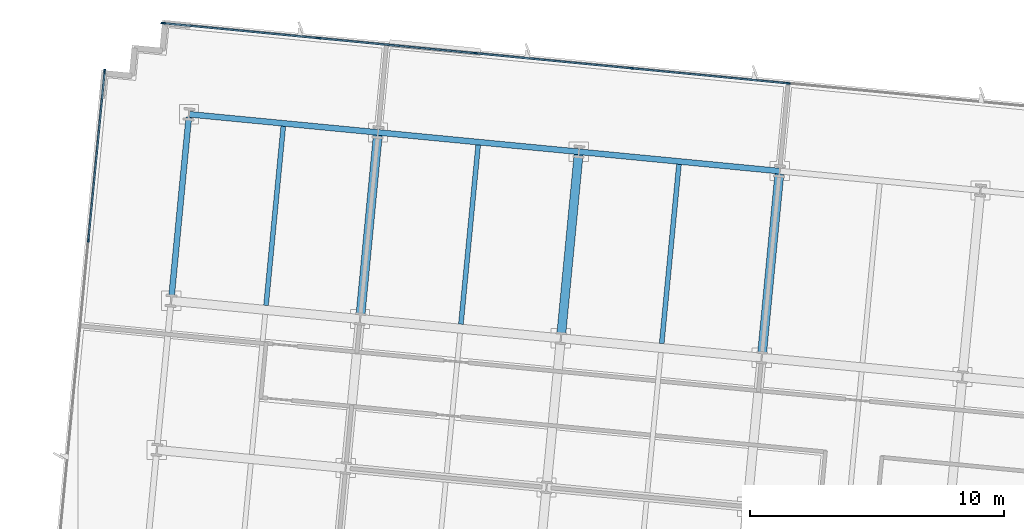
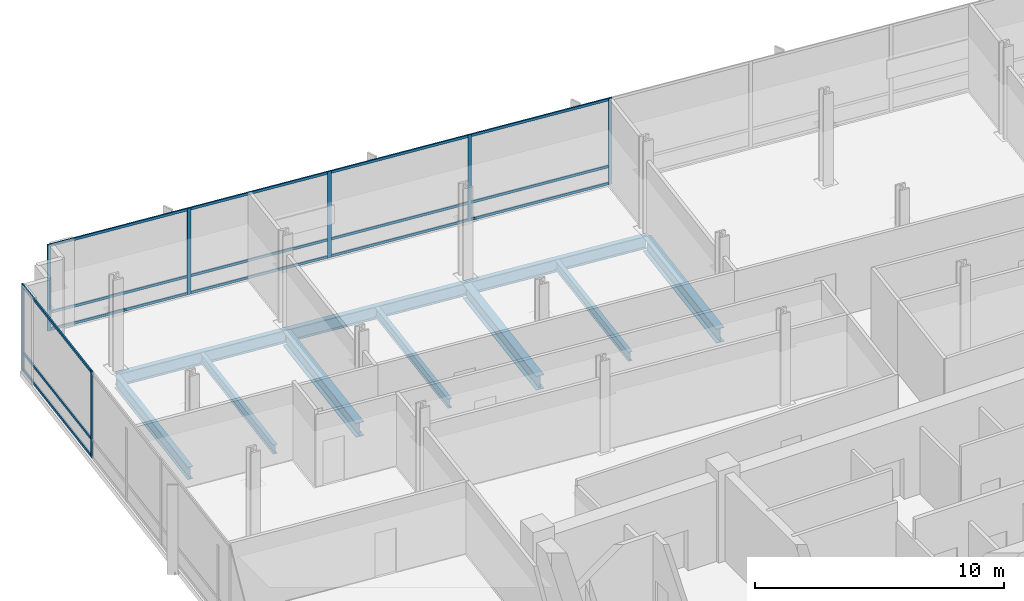
# One storey, part 8 of 17: 22 members, 10 beams, 2 elements without a shape of their own.
"""IFC4 building model written with IfcOpenShell, lengths in metres."""

import ifcopenshell
import ifcopenshell.guid

model = None  # the IFC model being written
_history = None  # IfcOwnerHistory: only IFC2X3 demands one
_inside = {}  # id of a spatial element -> (the spatial element, [elements in it])
_under = {}  # id of a project, library or spatial element -> (it, [spatial elements below it])
_declared = {}  # id of a project -> (the project, [libraries it declares])
_typed = {}  # id of a type object -> (the type object, [elements of that type])
_made_of = {}  # id of a material, layer set ... -> (it, [elements and type objects made of it])


def new_model(schema):
    """Start an empty IFC model of exactly this schema.

    Asked for "IFC4X3", IfcOpenShell would pick the latest addendum, in which some entities
    have other attributes; the version numbers below select the first issue.
    IFC2X3 requires an IfcOwnerHistory on every rooted entity: one is made here for all.
    """
    global model, _history
    if schema == "IFC4X3":
        model = ifcopenshell.file(schema_version=(4, 3, 0, 0))
    else:
        model = ifcopenshell.file(schema=schema)
    _inside.clear()
    _under.clear()
    _declared.clear()
    _typed.clear()
    _made_of.clear()
    _history = None
    if model.schema == "IFC2X3":
        org = make("IfcOrganization", Name="unknown")
        user = make(
            "IfcPersonAndOrganization",
            ThePerson=make("IfcPerson", FamilyName="unknown"),
            TheOrganization=org,
        )
        app = make(
            "IfcApplication",
            ApplicationDeveloper=org,
            Version="unknown",
            ApplicationFullName="unknown",
            ApplicationIdentifier="unknown",
        )
        _history = make(
            "IfcOwnerHistory",
            OwningUser=user,
            OwningApplication=app,
            ChangeAction="ADDED",
            CreationDate=0,
        )
    return model


def make(cls, **values):
    """One entity of the class cls with the attributes given. An attribute that is None is left unset."""
    return model.create_entity(
        cls, **{name: value for name, value in values.items() if value is not None}
    )


def rooted(cls, **values):
    """An entity with a GlobalId (a new one), such as an element, a storey or a relation."""
    return make(cls, GlobalId=ifcopenshell.guid.new(), OwnerHistory=_history, **values)


def si_unit(unit_type, name, prefix=None):
    """IfcSIUnit, for example si_unit("LENGTHUNIT", "METRE", prefix="MILLI")."""
    return make("IfcSIUnit", UnitType=unit_type, Prefix=prefix, Name=name)


def assignment(units):
    """IfcUnitAssignment: the units of a project."""
    return None if units is None else make("IfcUnitAssignment", Units=units)


def point(xyz):
    """IfcCartesianPoint."""
    return None if xyz is None else make("IfcCartesianPoint", Coordinates=xyz)


def direction(xyz):
    """IfcDirection."""
    return None if xyz is None else make("IfcDirection", DirectionRatios=xyz)


def frame(location, z_axis=None, x_axis=None):
    """IfcAxis2Placement3D, a coordinate frame: its origin and axes. An axis left out is left unset."""
    return make(
        "IfcAxis2Placement3D",
        Location=point(location),
        Axis=direction(z_axis),
        RefDirection=direction(x_axis),
    )


def frame_2d(location, x_axis=None):
    """IfcAxis2Placement2D, a coordinate frame in the plane: its origin and x axis."""
    return make(
        "IfcAxis2Placement2D", Location=point(location), RefDirection=direction(x_axis)
    )


def origin():
    """The frame at (0, 0, 0) with its axes left unset."""
    return frame((0.0, 0.0, 0.0))


def origin_2d():
    """The frame at (0, 0) in the plane with its x axis left unset."""
    return frame_2d((0.0, 0.0))


def place(relative_to, where):
    """IfcLocalPlacement: puts the frame where relative to a parent placement (None: the world)."""
    return make(
        "IfcLocalPlacement", PlacementRelTo=relative_to, RelativePlacement=where
    )


def context(
    kind, dimensions, precision=None, world=None, true_north=None, identifier=None
):
    """IfcGeometricRepresentationContext, for example the 3D "Model" context."""
    return make(
        "IfcGeometricRepresentationContext",
        ContextIdentifier=identifier,
        ContextType=kind,
        CoordinateSpaceDimension=dimensions,
        Precision=precision,
        WorldCoordinateSystem=world,
        TrueNorth=true_north,
    )


def subcontext(parent, identifier, kind, view, scale=None):
    """IfcGeometricRepresentationSubContext, for example "Body" below "Model"."""
    return make(
        "IfcGeometricRepresentationSubContext",
        ContextIdentifier=identifier,
        ContextType=kind,
        ParentContext=parent,
        TargetScale=scale,
        TargetView=view,
    )


def project(units=None, contexts=None):
    """IfcProject with its units and contexts."""
    return rooted(
        "IfcProject",
        Name="project",
        RepresentationContexts=contexts,
        UnitsInContext=assignment(units),
    )


def spatial(cls, under=None, at=None, **own):
    """A site, building, storey or space (cls), placed at a placement, below another one or the project."""
    s = rooted(cls, ObjectPlacement=at, **own)
    if under is not None:
        _under.setdefault(under.id(), (under, []))[1].append(s)
    return s


def profile(cls, at=None, kind="AREA", **sizes):
    """A parametric profile (cls). Its sizes go by their IFC names, for example OverallWidth=200.0."""
    return make(cls, ProfileType=kind, Position=at, **sizes)


def rectangle(**sizes):
    """IfcRectangleProfileDef."""
    return profile("IfcRectangleProfileDef", **sizes)


def i_section(**sizes):
    """IfcIShapeProfileDef."""
    return profile("IfcIShapeProfileDef", **sizes)


def extrude(swept, where, along, depth):
    """IfcExtrudedAreaSolid: the profile swept, set in the frame where, extruded along a direction by depth."""
    return make(
        "IfcExtrudedAreaSolid",
        SweptArea=swept,
        Position=where,
        ExtrudedDirection=direction(along),
        Depth=depth,
    )


def shape(context_of_items, identifier, shape_type, items):
    """IfcShapeRepresentation: the items that make up one representation, for example the "Body"."""
    return make(
        "IfcShapeRepresentation",
        ContextOfItems=context_of_items,
        RepresentationIdentifier=identifier,
        RepresentationType=shape_type,
        Items=items,
    )


def material(Name=None, Category=None):
    """IfcMaterial."""
    return make("IfcMaterial", Name=Name, Category=Category)


def material_profile(
    of_material, cross_section, Name=None, Category=None, Priority=None
):
    """IfcMaterialProfile: a cross section and its material."""
    return make(
        "IfcMaterialProfile",
        Name=Name,
        Material=of_material,
        Profile=cross_section,
        Priority=Priority,
        Category=Category,
    )


def profile_set(profiles, Name=None, composite=None):
    """IfcMaterialProfileSet."""
    return make(
        "IfcMaterialProfileSet",
        Name=Name,
        MaterialProfiles=profiles,
        CompositeProfile=composite,
    )


def made_of(thing, what):
    """Note that an element or type object is made of a material, layer set ...; save() writes the relation."""
    if what is not None:
        _made_of.setdefault(what.id(), (what, []))[1].append(thing)
    return thing


def type_object(cls, material=None, **own):
    """A type object (cls), such as IfcWallType, which elements share."""
    return made_of(rooted(cls, **own), material)


def element(
    cls,
    number,
    at=None,
    inside=None,
    cuts=None,
    type_object=None,
    material=None,
    context=None,
    identifier="Body",
    shape_type=None,
    held_by="IfcProductDefinitionShape",
    body=None,
    shapes=None,
    **own,
):
    """One element of the class cls, such as IfcWall. Its Tag is "e" and its number.

    at: its placement. inside: the storey or other place that contains it. cuts: it is an
    opening in that element (IfcRelVoidsElement). A single representation is given by context,
    identifier, shape_type and body (its items); several are given by shapes. held_by: the class
    of the entity that holds the representations. save() writes the other relations.
    """
    e = rooted(cls, Tag="e%d" % number, ObjectPlacement=at, **own)
    if body is not None:
        shapes = [shape(context, identifier, shape_type, body)]
    if shapes is not None:
        e.Representation = make(held_by, Representations=shapes)
    if inside is not None:
        _inside.setdefault(inside.id(), (inside, []))[1].append(e)
    if cuts is not None:
        rooted(
            "IfcRelVoidsElement", RelatingBuildingElement=cuts, RelatedOpeningElement=e
        )
    if type_object is not None:
        _typed.setdefault(type_object.id(), (type_object, []))[1].append(e)
    return made_of(e, material)


def aggregate(whole, parts):
    """IfcRelAggregates: a whole, such as a stair, and the parts it consists of."""
    return rooted("IfcRelAggregates", RelatingObject=whole, RelatedObjects=parts)


def save(model, path):
    """Write the relations noted so far, then the file.

    IfcRelAggregates (storeys below a building ...), IfcRelContainedInSpatialStructure (elements
    in a storey), IfcRelDefinesByType, IfcRelAssociatesMaterial and IfcRelDeclares: one each for
    every whole, place, type object, material and project.
    """
    for whole, parts in _under.values():
        aggregate(whole, parts)
    for where, things in _inside.values():
        rooted(
            "IfcRelContainedInSpatialStructure",
            RelatedElements=things,
            RelatingStructure=where,
        )
    for kind, things in _typed.values():
        rooted("IfcRelDefinesByType", RelatedObjects=things, RelatingType=kind)
    for what, things in _made_of.values():
        rooted("IfcRelAssociatesMaterial", RelatedObjects=things, RelatingMaterial=what)
    for by, libraries in _declared.values():
        rooted("IfcRelDeclares", RelatingContext=by, RelatedDefinitions=libraries)
    model.write(path)


model = new_model("IFC4")

# Units and contexts
model_context = context("Model", 3, precision=1e-05, world=origin(), true_north=direction((0.0, 1.0)))
body_context = subcontext(model_context, "Body", "Model", "MODEL_VIEW")
ifc_project = project(units=[si_unit("LENGTHUNIT", "METRE"), si_unit("AREAUNIT", "SQUARE_METRE"), si_unit("VOLUMEUNIT", "CUBIC_METRE"), si_unit("PLANEANGLEUNIT", "RADIAN"), si_unit("MASSUNIT", "GRAM", prefix="KILO")], contexts=[model_context])

# Site, building, storey
site_placement = place(None, origin())
site = spatial("IfcSite", under=ifc_project, at=site_placement, CompositionType="ELEMENT")
building_placement = place(site_placement, origin())
building = spatial("IfcBuilding", under=site, at=building_placement, Name="Solmavex Isthmus Hotel", CompositionType="ELEMENT")
storey_placement = place(building_placement, frame((0.0, 0.0, 177.300048828125)))
storey = spatial("IfcBuildingStorey", under=building, at=storey_placement, Name="L48", CompositionType="ELEMENT", Elevation=177.300048828125)

# Beams
ifc_material_1 = material(Name="Steel ASTM A992 Grade 50", Category="steel")
ifc_material_profile_1 = material_profile(ifc_material_1, i_section(OverallWidth=0.354736328125, OverallDepth=0.695556640625, WebThickness=0.015380859375, FlangeThickness=0.02490234375, FilletRadius=0.017822265625, at=origin_2d()), Name="W27X146")
ifc_profile_set_1 = profile_set([ifc_material_profile_1], Name="Steel ASTM A992 Grade 50")
beam_type_1 = type_object("IfcBeamType", Name="BM-BG-W27X146", PredefinedType="BEAM", material=ifc_profile_set_1)
beam_1_placement = place(storey_placement, frame((-15.254150390625, 13.07275390625, -0.60791015625), z_axis=(0.095839524498, 0.995396798038, 0.0), x_axis=(-0.995396798038, 0.095839524498, 0.0)))
element("IfcBeam", 1, at=beam_1_placement, inside=storey, type_object=beam_type_1, Name="Floor Beam L48-VG26", PredefinedType="BEAM", context=body_context, shape_type="SweptSolid", body=[
    extrude(i_section(OverallWidth=0.354736328125, OverallDepth=0.695556640625, WebThickness=0.015380859375, FlangeThickness=0.02490234375, FilletRadius=0.017822265625, at=origin_2d()), origin(), (0.0, 0.0, 1.0), 7.099609375),
])
beam_2_placement = place(storey_placement, frame((-7.3349609375, 12.310302734375, -0.60791015625), z_axis=(0.09587687835, 0.9953932008, 0.0), x_axis=(-0.9953932008, 0.09587687835, 0.0)))
element("IfcBeam", 2, at=beam_2_placement, inside=storey, type_object=beam_type_1, Name="Floor Beam L48-VG29", PredefinedType="BEAM", context=body_context, shape_type="SweptSolid", body=[
    extrude(i_section(OverallWidth=0.354736328125, OverallDepth=0.695556640625, WebThickness=0.015380859375, FlangeThickness=0.02490234375, FilletRadius=0.017822265625, at=origin_2d()), origin(), (0.0, 0.0, 1.0), 7.099365234375),
])
beam_3_placement = place(storey_placement, frame((0.58447265625, 11.547607421875, -0.60791015625), z_axis=(0.095839524498, 0.995396798038, 0.0), x_axis=(-0.995396798038, 0.095839524498, 0.0)))
element("IfcBeam", 3, at=beam_3_placement, inside=storey, type_object=beam_type_1, Name="Floor Beam L48-VG32", PredefinedType="BEAM", context=body_context, shape_type="SweptSolid", body=[
    extrude(i_section(OverallWidth=0.354736328125, OverallDepth=0.695556640625, WebThickness=0.015380859375, FlangeThickness=0.02490234375, FilletRadius=0.017822265625, at=origin_2d()), origin(), (0.0, 0.0, 1.0), 7.099609375),
])
ifc_material_profile_2 = material_profile(ifc_material_1, i_section(OverallWidth=0.1904296875, OverallDepth=0.456787109375, WebThickness=0.009033203125, FlangeThickness=0.014404296875, FilletRadius=0.0126953125, at=origin_2d()), Name="W18X50")
ifc_profile_set_2 = profile_set([ifc_material_profile_2], Name="Steel ASTM A992 Grade 50")
beam_type_2 = type_object("IfcBeamType", Name="BM-BJ-W18X50", PredefinedType="JOIST", material=ifc_profile_set_2)
for number, where, z_axis, x_axis, name in (
    (4, (-18.98095703125, 13.431640625, -0.488525390625), (0.095842805175, 0.99539648216, 0.0), (-0.99539648216, 0.095842805175, 0.0), "Secondary Floor Joist L48-J03"),
    (5, (-11.29443359375, 12.691650390625, -0.488525390625), (0.095842805175, 0.99539648216, 0.0), (-0.99539648216, 0.095842805175, 0.0), "Secondary Floor Joist L48-J06"),
    (6, (-3.375244140625, 11.928955078125, -0.488525390625), (0.09587687835, 0.9953932008, 0.0), (-0.9953932008, 0.09587687835, 0.0), "Secondary Floor Joist L48-J09"),
):
    element("IfcBeam", number, at=place(storey_placement, frame(where, z_axis=z_axis, x_axis=x_axis)), inside=storey, type_object=beam_type_2, Name=name, PredefinedType="JOIST", context=body_context, shape_type="SweptSolid", body=[
        extrude(i_section(OverallWidth=0.1904296875, OverallDepth=0.456787109375, WebThickness=0.009033203125, FlangeThickness=0.014404296875, FilletRadius=0.0126953125, at=origin_2d()), origin(), (0.0, 0.0, 1.0), 7.099365234375),
    ])
ifc_material_profile_3 = material_profile(ifc_material_1, i_section(OverallWidth=0.230224609375, OverallDepth=0.617431640625, WebThickness=0.01318359375, FlangeThickness=0.022216796875, FilletRadius=0.01513671875, at=origin_2d()), Name="W24X94")
ifc_profile_set_3 = profile_set([ifc_material_profile_3], Name="Steel ASTM A992 Grade 50")
beam_type_3 = type_object("IfcBeamType", Name="BM-SP-W24X94", PredefinedType="SPANDREL", material=ifc_profile_set_3)
beam_4_placement = place(storey_placement, frame((-22.016357421875, 20.971923828125, -0.56884765625), z_axis=(0.995395279593, -0.095855293875, 0.0), x_axis=(0.095855293875, 0.995395279593, 0.0)))
element("IfcBeam", 7, at=beam_4_placement, inside=storey, type_object=beam_type_3, Name="Floor Girder L48-UG15", PredefinedType="SPANDREL", context=body_context, shape_type="SweptSolid", body=[
    extrude(i_section(OverallWidth=0.230224609375, OverallDepth=0.617431640625, WebThickness=0.01318359375, FlangeThickness=0.022216796875, FilletRadius=0.01513671875, at=origin_2d()), origin(), (0.0, 0.0, 1.0), 7.488037109375),
])
for number, where, z_axis, x_axis, name in (
    (8, (-14.562744140625, 20.254150390625, -0.56884765625), (0.995397440011, -0.095832856685, 0.0), (0.095832856685, 0.995397440011, 0.0), "Floor Girder L48-UG16"),
    (9, (-6.643310546875, 19.49169921875, -0.56884765625), (0.995394512348, -0.095863260885, 0.0), (0.095863260885, 0.995394512348, 0.0), "Floor Girder L48-UG17"),
):
    element("IfcBeam", number, at=place(storey_placement, frame(where, z_axis=z_axis, x_axis=x_axis)), inside=storey, type_object=beam_type_3, Name=name, PredefinedType="SPANDREL", context=body_context, shape_type="SweptSolid", body=[
        extrude(i_section(OverallWidth=0.230224609375, OverallDepth=0.617431640625, WebThickness=0.01318359375, FlangeThickness=0.022216796875, FilletRadius=0.01513671875, at=origin_2d()), origin(), (0.0, 0.0, 1.0), 7.9560546875),
    ])
beam_5_placement = place(storey_placement, frame((-22.707763671875, 13.79052734375, -0.56884765625), z_axis=(0.095842805175, 0.99539648216, 0.0), x_axis=(-0.99539648216, 0.095842805175, 0.0)))
element("IfcBeam", 10, at=beam_5_placement, inside=storey, type_object=beam_type_3, Name="Floor Beam L48-VG23", PredefinedType="SPANDREL", context=body_context, shape_type="SweptSolid", body=[
    extrude(i_section(OverallWidth=0.230224609375, OverallDepth=0.617431640625, WebThickness=0.01318359375, FlangeThickness=0.022216796875, FilletRadius=0.01513671875, at=origin_2d()), origin(), (0.0, 0.0, 1.0), 7.099365234375),
])

# Curtain wall, members
ifc_material_2 = material(Name="Aluminium alloy 6063-T6", Category="aluminium")
curtain_wall_type = type_object("IfcCurtainWallType", Name="CW-SYS-05", PredefinedType="NOTDEFINED", material=ifc_material_2)
curtain_wall_1_placement = place(storey_placement, origin())
curtain_wall_1 = element("IfcCurtainWall", 11, at=curtain_wall_1_placement, inside=storey, type_object=curtain_wall_type, Name="Stick Curtain Wall CWL-L48-N1", PredefinedType="NOTDEFINED")
ifc_material_profile_4 = material_profile(ifc_material_2, rectangle(XDim=0.06494140625, YDim=0.159912109375, at=origin_2d()), Name="CWM-65X160")
ifc_profile_set_4 = profile_set([ifc_material_profile_4], Name="Aluminium alloy 6063-T6")
member_type_1 = type_object("IfcMemberType", Name="CW-SYS-05-MUL", PredefinedType="MULLION", material=ifc_profile_set_4)
member_1_placement = place(storey_placement, frame((-23.0439453125, 24.56689453125, 0.0), z_axis=(0.0, 0.0, 1.0), x_axis=(0.09584556901, 0.995396216037, 0.0)))
member_1 = element("IfcMember", 12, at=member_1_placement, type_object=member_type_1, Name="CW-05 mullion 1", PredefinedType="MULLION", context=body_context, shape_type="SweptSolid", body=[
    extrude(rectangle(XDim=0.06494140625, YDim=0.159912109375, at=origin_2d()), origin(), (0.0, 0.0, 1.0), 4.239990234375),
])
member_2_placement = place(storey_placement, frame((-16.90478515625, 23.975830078125, 0.0), z_axis=(0.0, 0.0, 1.0), x_axis=(0.09584556901, 0.995396216037, 0.0)))
member_2 = element("IfcMember", 13, at=member_2_placement, type_object=member_type_1, Name="CW-05 mullion 2", PredefinedType="MULLION", context=body_context, shape_type="SweptSolid", body=[
    extrude(rectangle(XDim=0.06494140625, YDim=0.159912109375, at=origin_2d()), origin(), (0.0, 0.0, 1.0), 4.239990234375),
])
member_3_placement = place(storey_placement, frame((-10.7333984375, 23.381591796875, 0.0), z_axis=(0.0, 0.0, 1.0), x_axis=(0.09584556901, 0.995396216037, 0.0)))
member_3 = element("IfcMember", 14, at=member_3_placement, type_object=member_type_1, Name="CW-05 mullion 3", PredefinedType="MULLION", context=body_context, shape_type="SweptSolid", body=[
    extrude(rectangle(XDim=0.06494140625, YDim=0.159912109375, at=origin_2d()), origin(), (0.0, 0.0, 1.0), 4.239990234375),
])
member_4_placement = place(storey_placement, frame((-4.56201171875, 22.787353515625, 0.0), z_axis=(0.0, 0.0, 1.0), x_axis=(0.09584556901, 0.995396216037, 0.0)))
member_4 = element("IfcMember", 15, at=member_4_placement, type_object=member_type_1, Name="CW-05 mullion 4", PredefinedType="MULLION", context=body_context, shape_type="SweptSolid", body=[
    extrude(rectangle(XDim=0.06494140625, YDim=0.159912109375, at=origin_2d()), origin(), (0.0, 0.0, 1.0), 4.239990234375),
])
member_5_placement = place(storey_placement, frame((1.609619140625, 22.193115234375, 0.0), z_axis=(0.0, 0.0, 1.0), x_axis=(0.09584556901, 0.995396216037, 0.0)))
member_5 = element("IfcMember", 16, at=member_5_placement, type_object=member_type_1, Name="CW-05 mullion 5", PredefinedType="MULLION", context=body_context, shape_type="SweptSolid", body=[
    extrude(rectangle(XDim=0.06494140625, YDim=0.159912109375, at=origin_2d()), origin(), (0.0, 0.0, 1.0), 4.239990234375),
])

curtain_wall_2_placement = place(storey_placement, origin())
curtain_wall_2 = element("IfcCurtainWall", 17, at=curtain_wall_2_placement, inside=storey, type_object=curtain_wall_type, Name="Stick Curtain Wall CWL-L48-W1", PredefinedType="NOTDEFINED")
member_6_placement = place(storey_placement, frame((-25.990234375, 16.010009765625, 0.0), z_axis=(0.0, 0.0, 1.0), x_axis=(-0.995396190038, 0.09584583902, 0.0)))
member_6 = element("IfcMember", 18, at=member_6_placement, type_object=member_type_1, Name="CW-05 mullion 5", PredefinedType="MULLION", context=body_context, shape_type="SweptSolid", body=[
    extrude(rectangle(XDim=0.06494140625, YDim=0.159912109375, at=origin_2d()), origin(), (0.0, 0.0, 1.0), 4.239990234375),
])
member_7_placement = place(storey_placement, frame((-25.34912109375, 22.666748046875, 0.0), z_axis=(0.0, 0.0, 1.0), x_axis=(-0.995396190038, 0.09584583902, 0.0)))
member_7 = element("IfcMember", 19, at=member_7_placement, type_object=member_type_1, Name="CW-05 mullion 6", PredefinedType="MULLION", context=body_context, shape_type="SweptSolid", body=[
    extrude(rectangle(XDim=0.06494140625, YDim=0.159912109375, at=origin_2d()), origin(), (0.0, 0.0, 1.0), 4.239990234375),
])

# Member
ifc_material_profile_5 = material_profile(ifc_material_2, rectangle(XDim=0.06494140625, YDim=0.125, at=origin_2d()), Name="CWT-65X125")
ifc_profile_set_5 = profile_set([ifc_material_profile_5], Name="Aluminium alloy 6063-T6")
member_type_2 = type_object("IfcMemberType", Name="CW-SYS-05-TRN", PredefinedType="USERDEFINED", material=ifc_profile_set_5)
member_8_placement = place(storey_placement, frame((-23.011474609375, 24.563720703125, 0.0625), z_axis=(0.995398761161, -0.095819133158, 0.0), x_axis=(0.095819133158, 0.995398761161, 0.0)))
member_8 = element("IfcMember", 20, at=member_8_placement, type_object=member_type_2, Name="CW-05 transom 1.1", ObjectType="TRANSOM", PredefinedType="USERDEFINED", context=body_context, shape_type="SweptSolid", body=[
    extrude(rectangle(XDim=0.06494140625, YDim=0.125, at=origin_2d()), origin(), (0.0, 0.0, 1.0), 6.102294921875),
])

member_9_placement = place(storey_placement, frame((-23.011474609375, 24.563720703125, 0.89990234375), z_axis=(0.995398761161, -0.095819133158, 0.0), x_axis=(0.095819133158, 0.995398761161, 0.0)))
member_9 = element("IfcMember", 21, at=member_9_placement, type_object=member_type_2, Name="CW-05 transom 1.2", ObjectType="TRANSOM", PredefinedType="USERDEFINED", context=body_context, shape_type="SweptSolid", body=[
    extrude(rectangle(XDim=0.06494140625, YDim=0.125, at=origin_2d()), origin(), (0.0, 0.0, 1.0), 6.102294921875),
])

member_10_placement = place(storey_placement, frame((-23.011474609375, 24.563720703125, 4.177490234375), z_axis=(0.995398761161, -0.095819133158, 0.0), x_axis=(0.095819133158, 0.995398761161, 0.0)))
member_10 = element("IfcMember", 22, at=member_10_placement, type_object=member_type_2, Name="CW-05 transom 1.3", ObjectType="TRANSOM", PredefinedType="USERDEFINED", context=body_context, shape_type="SweptSolid", body=[
    extrude(rectangle(XDim=0.06494140625, YDim=0.125, at=origin_2d()), origin(), (0.0, 0.0, 1.0), 6.102294921875),
])

member_11_placement = place(storey_placement, frame((-16.87255859375, 23.97265625, 0.0625), z_axis=(0.995398378252, -0.095823110851, 0.0), x_axis=(0.095823110851, 0.995398378252, 0.0)))
member_11 = element("IfcMember", 23, at=member_11_placement, type_object=member_type_2, Name="CW-05 transom 2.1", ObjectType="TRANSOM", PredefinedType="USERDEFINED", context=body_context, shape_type="SweptSolid", body=[
    extrude(rectangle(XDim=0.06494140625, YDim=0.125, at=origin_2d()), origin(), (0.0, 0.0, 1.0), 6.13525390625),
])

member_12_placement = place(storey_placement, frame((-16.87255859375, 23.97265625, 0.89990234375), z_axis=(0.995398378252, -0.095823110851, 0.0), x_axis=(0.095823110851, 0.995398378252, 0.0)))
member_12 = element("IfcMember", 24, at=member_12_placement, type_object=member_type_2, Name="CW-05 transom 2.2", ObjectType="TRANSOM", PredefinedType="USERDEFINED", context=body_context, shape_type="SweptSolid", body=[
    extrude(rectangle(XDim=0.06494140625, YDim=0.125, at=origin_2d()), origin(), (0.0, 0.0, 1.0), 6.13525390625),
])

member_13_placement = place(storey_placement, frame((-16.87255859375, 23.97265625, 4.177490234375), z_axis=(0.995398378252, -0.095823110851, 0.0), x_axis=(0.095823110851, 0.995398378252, 0.0)))
member_13 = element("IfcMember", 25, at=member_13_placement, type_object=member_type_2, Name="CW-05 transom 2.3", ObjectType="TRANSOM", PredefinedType="USERDEFINED", context=body_context, shape_type="SweptSolid", body=[
    extrude(rectangle(XDim=0.06494140625, YDim=0.125, at=origin_2d()), origin(), (0.0, 0.0, 1.0), 6.13525390625),
])

member_14_placement = place(storey_placement, frame((-10.700927734375, 23.37841796875, 0.0625), z_axis=(0.995398012842, -0.095826906606, 0.0), x_axis=(0.095826906606, 0.995398012842, 0.0)))
member_14 = element("IfcMember", 26, at=member_14_placement, type_object=member_type_2, Name="CW-05 transom 3.1", ObjectType="TRANSOM", PredefinedType="USERDEFINED", context=body_context, shape_type="SweptSolid", body=[
    extrude(rectangle(XDim=0.06494140625, YDim=0.125, at=origin_2d()), origin(), (0.0, 0.0, 1.0), 6.135009765625),
])

member_15_placement = place(storey_placement, frame((-10.700927734375, 23.37841796875, 0.89990234375), z_axis=(0.995398012842, -0.095826906606, 0.0), x_axis=(0.095826906606, 0.995398012842, 0.0)))
member_15 = element("IfcMember", 27, at=member_15_placement, type_object=member_type_2, Name="CW-05 transom 3.2", ObjectType="TRANSOM", PredefinedType="USERDEFINED", context=body_context, shape_type="SweptSolid", body=[
    extrude(rectangle(XDim=0.06494140625, YDim=0.125, at=origin_2d()), origin(), (0.0, 0.0, 1.0), 6.135009765625),
])

member_16_placement = place(storey_placement, frame((-10.700927734375, 23.37841796875, 4.177490234375), z_axis=(0.995398012842, -0.095826906606, 0.0), x_axis=(0.095826906606, 0.995398012842, 0.0)))
member_16 = element("IfcMember", 28, at=member_16_placement, type_object=member_type_2, Name="CW-05 transom 3.3", ObjectType="TRANSOM", PredefinedType="USERDEFINED", context=body_context, shape_type="SweptSolid", body=[
    extrude(rectangle(XDim=0.06494140625, YDim=0.125, at=origin_2d()), origin(), (0.0, 0.0, 1.0), 6.135009765625),
])

member_17_placement = place(storey_placement, frame((-4.529541015625, 22.7841796875, 0.0625), z_axis=(0.995398012842, -0.095826906606, 0.0), x_axis=(0.095826906606, 0.995398012842, 0.0)))
member_17 = element("IfcMember", 29, at=member_17_placement, type_object=member_type_2, Name="CW-05 transom 4.1", ObjectType="TRANSOM", PredefinedType="USERDEFINED", context=body_context, shape_type="SweptSolid", body=[
    extrude(rectangle(XDim=0.06494140625, YDim=0.125, at=origin_2d()), origin(), (0.0, 0.0, 1.0), 6.135009765625),
])

member_18_placement = place(storey_placement, frame((-4.529541015625, 22.7841796875, 0.89990234375), z_axis=(0.995398012842, -0.095826906606, 0.0), x_axis=(0.095826906606, 0.995398012842, 0.0)))
member_18 = element("IfcMember", 30, at=member_18_placement, type_object=member_type_2, Name="CW-05 transom 4.2", ObjectType="TRANSOM", PredefinedType="USERDEFINED", context=body_context, shape_type="SweptSolid", body=[
    extrude(rectangle(XDim=0.06494140625, YDim=0.125, at=origin_2d()), origin(), (0.0, 0.0, 1.0), 6.135009765625),
])

member_19_placement = place(storey_placement, frame((-4.529541015625, 22.7841796875, 4.177490234375), z_axis=(0.995398012842, -0.095826906606, 0.0), x_axis=(0.095826906606, 0.995398012842, 0.0)))
member_19 = element("IfcMember", 31, at=member_19_placement, type_object=member_type_2, Name="CW-05 transom 4.3", ObjectType="TRANSOM", PredefinedType="USERDEFINED", context=body_context, shape_type="SweptSolid", body=[
    extrude(rectangle(XDim=0.06494140625, YDim=0.125, at=origin_2d()), origin(), (0.0, 0.0, 1.0), 6.135009765625),
])

aggregate(curtain_wall_1, [member_1, member_2, member_3, member_4, member_5, member_8, member_9, member_10, member_11, member_12, member_13, member_14, member_15, member_16, member_17, member_18, member_19])

member_20_placement = place(storey_placement, frame((-25.987060546875, 16.042236328125, 0.0625), z_axis=(0.095849383604, 0.995395848727, 0.0), x_axis=(-0.995395848727, 0.095849383604, 0.0)))
member_20 = element("IfcMember", 32, at=member_20_placement, type_object=member_type_2, Name="CW-05 transom 5.1", ObjectType="TRANSOM", PredefinedType="USERDEFINED", context=body_context, shape_type="SweptSolid", body=[
    extrude(rectangle(XDim=0.06494140625, YDim=0.125, at=origin_2d()), origin(), (0.0, 0.0, 1.0), 6.62255859375),
])

member_21_placement = place(storey_placement, frame((-25.987060546875, 16.042236328125, 0.89990234375), z_axis=(0.095849383604, 0.995395848727, 0.0), x_axis=(-0.995395848727, 0.095849383604, 0.0)))
member_21 = element("IfcMember", 33, at=member_21_placement, type_object=member_type_2, Name="CW-05 transom 5.2", ObjectType="TRANSOM", PredefinedType="USERDEFINED", context=body_context, shape_type="SweptSolid", body=[
    extrude(rectangle(XDim=0.06494140625, YDim=0.125, at=origin_2d()), origin(), (0.0, 0.0, 1.0), 6.62255859375),
])

member_22_placement = place(storey_placement, frame((-25.987060546875, 16.042236328125, 4.177490234375), z_axis=(0.095849383604, 0.995395848727, 0.0), x_axis=(-0.995395848727, 0.095849383604, 0.0)))
member_22 = element("IfcMember", 34, at=member_22_placement, type_object=member_type_2, Name="CW-05 transom 5.3", ObjectType="TRANSOM", PredefinedType="USERDEFINED", context=body_context, shape_type="SweptSolid", body=[
    extrude(rectangle(XDim=0.06494140625, YDim=0.125, at=origin_2d()), origin(), (0.0, 0.0, 1.0), 6.62255859375),
])

aggregate(curtain_wall_2, [member_6, member_7, member_20, member_21, member_22])

save(model, "model.ifc")
